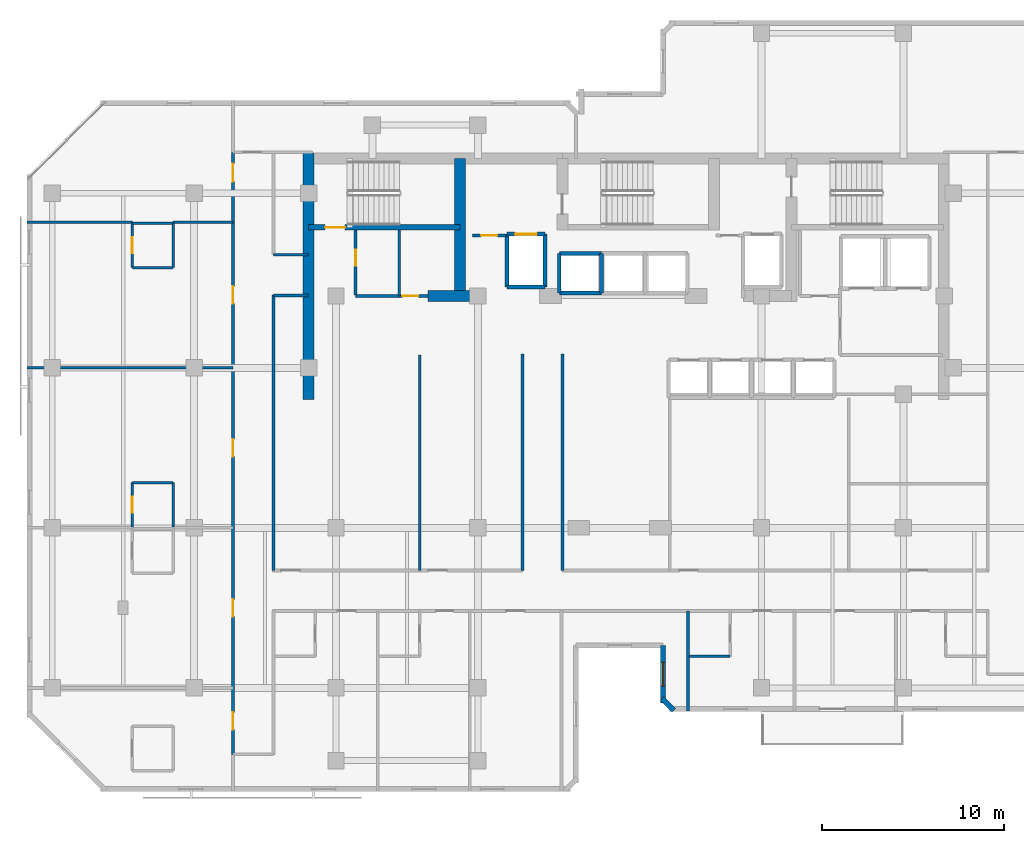
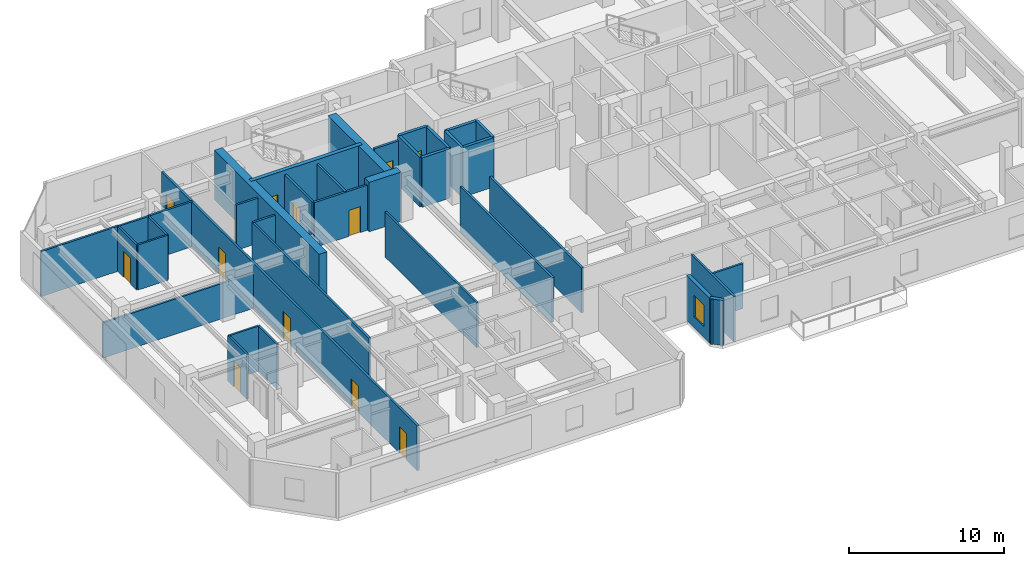
# One storey, part 5 of 11: 37 walls, 12 doors, 1 window, 13 openings.
"""IFC4 building model written with IfcOpenShell, lengths in metres."""

from ifc_helpers import new_model, si_unit, direction, frame, frame_2d, origin, place, context, subcontext, project, spatial, rectangle, extrude, material, layer, layer_set, type_object, element, fill, save


model = new_model("IFC4")

# Units and contexts
model_context = context("Model", 3, precision=1e-05, world=origin(), true_north=direction((0.0, 1.0)))
body_context = subcontext(model_context, "Body", "Model", "MODEL_VIEW")
ifc_project = project(units=[si_unit("LENGTHUNIT", "METRE"), si_unit("AREAUNIT", "SQUARE_METRE"), si_unit("VOLUMEUNIT", "CUBIC_METRE"), si_unit("PLANEANGLEUNIT", "RADIAN"), si_unit("MASSUNIT", "GRAM", prefix="KILO")], contexts=[model_context])

# Site, building, storey
site_placement = place(None, origin())
site = spatial("IfcSite", under=ifc_project, at=site_placement, CompositionType="ELEMENT")
building_placement = place(site_placement, origin())
building = spatial("IfcBuilding", under=site, at=building_placement, Name="Kestravale Grand Hotel", CompositionType="ELEMENT")
storey_placement = place(building_placement, frame((0.0, 0.0, 228.0)))
storey = spatial("IfcBuildingStorey", under=building, at=storey_placement, Name="L57", CompositionType="ELEMENT", Elevation=228.0)

# Walls
ifc_material_1 = material(Name="Concrete f'c 50 MPa", Category="concrete")
ifc_layer_1 = layer(ifc_material_1, 0.60009765625)
ifc_layer_set_1 = layer_set([ifc_layer_1], Name="EW-CORE-600")
wall_type_1 = type_object("IfcWallType", Name="EW-CORE-600", PredefinedType="SHEAR", material=ifc_layer_set_1)
wall_1_placement = place(storey_placement, frame((21.89990234375, 27.050048828125, 0.0), z_axis=(0.0, 0.0, 1.0), x_axis=(0.0, 1.0, 0.0)))
element("IfcWall", 1, at=wall_1_placement, inside=storey, type_object=wall_type_1, Name="L57 core shear wall W1", PredefinedType="SHEAR", context=body_context, shape_type="SweptSolid", body=[
    extrude(rectangle(XDim=13.570068359375, YDim=0.60009765625, at=frame_2d((6.78515625, 0.0))), origin(), (0.0, 0.0, 1.0), 3.89990234375),
])
wall_2_placement = place(storey_placement, frame((28.449951171875, 32.75, 0.0), z_axis=(0.0, 0.0, 1.0), x_axis=(1.0, 0.0, 0.0)))
element("IfcWall", 2, at=wall_2_placement, inside=storey, type_object=wall_type_1, Name="L57 core shear wall S1", PredefinedType="SHEAR", context=body_context, shape_type="SweptSolid", body=[
    extrude(rectangle(XDim=2.400146484375, YDim=0.60009765625, at=frame_2d((1.2001953125, 0.0))), origin(), (0.0, 0.0, 1.0), 3.89990234375),
])
wall_3_placement = place(storey_placement, frame((30.219970703125, 33.050048828125, 0.0), z_axis=(0.0, 0.0, 1.0), x_axis=(0.0, 1.0, 0.0)))
element("IfcWall", 3, at=wall_3_placement, inside=storey, type_object=wall_type_1, Name="L57 core shear wall X1", PredefinedType="SHEAR", context=body_context, shape_type="SweptSolid", body=[
    extrude(rectangle(XDim=7.27001953125, YDim=0.60009765625, at=frame_2d((3.635009765625, 0.0))), origin(), (0.0, 0.0, 1.0), 3.89990234375),
])

# Wall, opening, window
ifc_material_2 = material(Name="Precast concrete f'c 45 MPa", Category="concrete")
ifc_layer_2 = layer(ifc_material_2, 0.280029296875)
ifc_layer_set_2 = layer_set([ifc_layer_2], Name="EW-PREC-280")
wall_type_2 = type_object("IfcWallType", Name="EW-PREC-280", PredefinedType="SOLIDWALL", material=ifc_layer_set_2)
wall_4_placement = place(storey_placement, frame((41.389892578125, 13.5400390625, 0.0), z_axis=(0.0, 0.0, 1.0), x_axis=(0.0, -1.0, 0.0)))
wall_4 = element("IfcWall", 4, at=wall_4_placement, inside=storey, type_object=wall_type_2, Name="L57 fluted precast facade wall 5", PredefinedType="SOLIDWALL", context=body_context, shape_type="SweptSolid", body=[
    extrude(rectangle(XDim=3.179931640625, YDim=0.280029296875, at=frame_2d((1.58984375, 0.0))), origin(), (0.0, 0.0, 1.0), 3.56005859375),
])
opening_1_placement = place(wall_4_placement, frame((0.93994140625, 0.0, 0.85009765625)))
opening_1 = element("IfcOpeningElement", 5, at=opening_1_placement, cuts=wall_4, Name="Opening W-GUEST-1300", PredefinedType="OPENING", context=body_context, shape_type="SweptSolid", body=[
    extrude(rectangle(XDim=1.300048828125, YDim=1.699951171875, at=frame_2d((0.64990234375, 0.85009765625))), frame((0.0, 0.14990234375, 0.0), z_axis=(0.0, -1.0, 0.0), x_axis=(1.0, 0.0, 0.0)), (0.0, 0.0, 1.0), 0.300048828125),
])
ifc_material_3 = material(Name="Insulated low-E double glazing in aluminium frame", Category="aluminium")
window_type = type_object("IfcWindowType", Name="W-GUEST-1300", PartitioningType="SINGLE_PANEL", PredefinedType="WINDOW", material=ifc_material_3)
window_placement = place(opening_1_placement, origin())
window = element("IfcWindow", 6, at=window_placement, inside=storey, type_object=window_type, Name="L57 exterior window 5.1", OverallHeight=1.699951171875, OverallWidth=1.300048828125, PartitioningType="SINGLE_PANEL", PredefinedType="WINDOW", context=body_context, shape_type="SweptSolid", body=[
    extrude(rectangle(XDim=1.300048828125, YDim=1.699951171875, at=frame_2d((0.64990234375, 0.85009765625))), frame((0.0, 0.030029296875, 0.0), z_axis=(0.0, -1.0, 0.0), x_axis=(1.0, 0.0, 0.0)), (0.0, 0.0, 1.0), 0.06005859375),
])
fill(opening_1, window)

# Wall
wall_5_placement = place(storey_placement, frame((41.32080078125, 10.627197265625, 0.0), z_axis=(0.0, 0.0, 1.0), x_axis=(0.707106781187, -0.707106781187, 0.0)))
element("IfcWall", 7, at=wall_5_placement, inside=storey, type_object=wall_type_2, Name="L57 fluted precast facade wall 6", PredefinedType="SOLIDWALL", context=body_context, shape_type="SweptSolid", body=[
    extrude(rectangle(XDim=0.928466796875, YDim=0.280029296875, at=frame_2d((0.46435546875, 0.0))), origin(), (0.0, 0.0, 1.0), 3.56005859375),
])

# Wall, opening, door
ifc_material_4 = material(Name="Concrete f'c 45 MPa", Category="concrete")
ifc_layer_3 = layer(ifc_material_4, 0.300048828125)
ifc_layer_set_3 = layer_set([ifc_layer_3], Name="EW-STAIR-300")
wall_type_3 = type_object("IfcWallType", Name="EW-STAIR-300", PredefinedType="SHEAR", material=ifc_layer_set_3)
wall_6_placement = place(storey_placement, frame((21.89990234375, 36.52001953125, 0.0), z_axis=(0.0, 0.0, 1.0), x_axis=(1.0, 0.0, 0.0)))
wall_6 = element("IfcWall", 8, at=wall_6_placement, inside=storey, type_object=wall_type_3, Name="L57 stair enclosure shear wall SST1", PredefinedType="SHEAR", context=body_context, shape_type="SweptSolid", body=[
    extrude(rectangle(XDim=8.320068359375, YDim=0.300048828125, at=frame_2d((4.16015625, 0.0))), origin(), (0.0, 0.0, 1.0), 3.89990234375),
])
opening_2_placement = place(wall_6_placement, frame((0.89990234375, 0.0, 0.0)))
opening_2 = element("IfcOpeningElement", 9, at=opening_2_placement, cuts=wall_6, Name="Opening D-ST-1100", PredefinedType="OPENING", context=body_context, shape_type="SweptSolid", body=[
    extrude(rectangle(XDim=1.10009765625, YDim=2.14990234375, at=frame_2d((0.550048828125, 1.074951171875))), frame((0.0, 0.159912109375, 0.0), z_axis=(0.0, -1.0, 0.0), x_axis=(1.0, 0.0, 0.0)), (0.0, 0.0, 1.0), 0.320068359375),
])
ifc_material_5 = material(Name="Galvanised 90-minute fire-rated steel stair door", Category="steel")
door_type_1 = type_object("IfcDoorType", Name="D-ST-1100", OperationType="NOTDEFINED", PredefinedType="DOOR", material=ifc_material_5)
door_1_placement = place(opening_2_placement, origin())
door_1 = element("IfcDoor", 10, at=door_1_placement, inside=storey, type_object=door_type_1, Name="L57 Stair ST-1 fire door", OperationType="SINGLE_SWING_RIGHT", OverallHeight=2.14990234375, OverallWidth=1.10009765625, PredefinedType="DOOR", context=body_context, shape_type="SweptSolid", body=[
    extrude(rectangle(XDim=1.10009765625, YDim=2.14990234375, at=frame_2d((0.550048828125, 1.074951171875))), frame((0.0, 0.02490234375, 0.0), z_axis=(0.0, -1.0, 0.0), x_axis=(1.0, 0.0, 0.0)), (0.0, 0.0, 1.0), 0.050048828125),
])
fill(opening_2, door_1)

ifc_material_6 = material(Name="Acoustic fire-rated gypsum board partition", Category="other")
ifc_layer_4 = layer(ifc_material_6, 0.159912109375)
ifc_layer_set_4 = layer_set([ifc_layer_4], Name="IW-CORR-160")
wall_type_4 = type_object("IfcWallType", Name="IW-CORR-160", PredefinedType="PARTITIONING", material=ifc_layer_set_4)
wall_7_placement = place(storey_placement, frame((24.47998046875, 32.800048828125, 0.0), z_axis=(0.0, 0.0, 1.0), x_axis=(0.0, 1.0, 0.0)))
wall_7 = element("IfcWall", 11, at=wall_7_placement, inside=storey, type_object=wall_type_4, Name="L57 west core vestibule wall", PredefinedType="PARTITIONING", context=body_context, shape_type="SweptSolid", body=[
    extrude(rectangle(XDim=3.570068359375, YDim=0.159912109375, at=frame_2d((1.78515625, 0.0))), origin(), (0.0, 0.0, 1.0), 3.56005859375),
])
opening_3_placement = place(wall_7_placement, frame((1.603515625, 0.0, 0.0)))
opening_3 = element("IfcOpeningElement", 12, at=opening_3_placement, cuts=wall_7, Name="Opening D-SH-900", PredefinedType="OPENING", context=body_context, shape_type="SweptSolid", body=[
    extrude(rectangle(XDim=0.89990234375, YDim=2.10009765625, at=frame_2d((0.449951171875, 1.050048828125))), frame((0.0, 0.08984375, 0.0), z_axis=(0.0, -1.0, 0.0), x_axis=(1.0, 0.0, 0.0)), (0.0, 0.0, 1.0), 0.179931640625),
])
ifc_material_7 = material(Name="Galvanised 90-minute shaft and service fire door", Category="steel")
door_type_2 = type_object("IfcDoorType", Name="D-SH-900", OperationType="NOTDEFINED", PredefinedType="DOOR", material=ifc_material_7)
door_2_placement = place(opening_3_placement, origin())
door_2 = element("IfcDoor", 13, at=door_2_placement, inside=storey, type_object=door_type_2, Name="D-L57-HK", OperationType="SINGLE_SWING_RIGHT", OverallHeight=2.10009765625, OverallWidth=0.89990234375, PredefinedType="DOOR", context=body_context, shape_type="SweptSolid", body=[
    extrude(rectangle(XDim=0.89990234375, YDim=2.10009765625, at=frame_2d((0.449951171875, 1.050048828125))), frame((0.0, 0.02490234375, 0.0), z_axis=(0.0, -1.0, 0.0), x_axis=(1.0, 0.0, 0.0)), (0.0, 0.0, 1.0), 0.050048828125),
])
fill(opening_3, door_2)

wall_8_placement = place(storey_placement, frame((24.47998046875, 32.75, 0.0), z_axis=(0.0, 0.0, 1.0), x_axis=(1.0, 0.0, 0.0)))
wall_8 = element("IfcWall", 14, at=wall_8_placement, inside=storey, type_object=wall_type_4, Name="W-L57-CWS", PredefinedType="PARTITIONING", context=body_context, shape_type="SweptSolid", body=[
    extrude(rectangle(XDim=3.969970703125, YDim=0.159912109375, at=frame_2d((1.98486328125, 0.0))), origin(), (0.0, 0.0, 1.0), 3.56005859375),
])
opening_4_placement = place(wall_8_placement, frame((2.574951171875, 0.0, 0.0)))
opening_4 = element("IfcOpeningElement", 15, at=opening_4_placement, cuts=wall_8, Name="Opening D-BATH-880", PredefinedType="OPENING", context=body_context, shape_type="SweptSolid", body=[
    extrude(rectangle(XDim=0.8798828125, YDim=2.050048828125, at=frame_2d((0.43994140625, 1.02490234375))), frame((0.0, 0.08984375, 0.0), z_axis=(0.0, -1.0, 0.0), x_axis=(1.0, 0.0, 0.0)), (0.0, 0.0, 1.0), 0.179931640625),
])
ifc_material_8 = material(Name="Moisture-sealed walnut en-suite bathroom door", Category="wood")
door_type_3 = type_object("IfcDoorType", Name="D-BATH-880", OperationType="NOTDEFINED", PredefinedType="DOOR", material=ifc_material_8)
door_3_placement = place(opening_4_placement, origin())
door_3 = element("IfcDoor", 16, at=door_3_placement, inside=storey, type_object=door_type_3, Name="D-L57-SWC", OperationType="SINGLE_SWING_RIGHT", OverallHeight=2.050048828125, OverallWidth=0.8798828125, PredefinedType="DOOR", context=body_context, shape_type="SweptSolid", body=[
    extrude(rectangle(XDim=0.8798828125, YDim=2.050048828125, at=frame_2d((0.43994140625, 1.02490234375))), frame((0.0, 0.02490234375, 0.0), z_axis=(0.0, -1.0, 0.0), x_axis=(1.0, 0.0, 0.0)), (0.0, 0.0, 1.0), 0.050048828125),
])
fill(opening_4, door_3)

# Walls
for number, where, z_axis, x_axis, name in (
    (17, (33.64990234375, 17.659912109375, 0.0), (0.0, 0.0, 1.0), (0.0, 1.0, 0.0), "W-L57-TRUNK-W"),
    (18, (35.85009765625, 17.659912109375, 0.0), (0.0, 0.0, 1.0), (0.0, 1.0, 0.0), "W-L57-TRUNK-E"),
):
    element("IfcWall", number, at=place(storey_placement, frame(where, z_axis=z_axis, x_axis=x_axis)), inside=storey, type_object=wall_type_4, Name=name, PredefinedType="PARTITIONING", context=body_context, shape_type="SweptSolid", body=[
        extrude(rectangle(XDim=11.89013671875, YDim=0.159912109375, at=frame_2d((5.945068359375, 0.0))), origin(), (0.0, 0.0, 1.0), 3.56005859375),
    ])

# Wall, openings, doors
wall_9_placement = place(storey_placement, frame((17.739990234375, 7.550048828125, 0.0), z_axis=(0.0, 0.0, 1.0), x_axis=(0.0, 1.0, 0.0)))
wall_9 = element("IfcWall", 19, at=wall_9_placement, inside=storey, type_object=wall_type_4, Name="W-L57-SW-W", PredefinedType="PARTITIONING", context=body_context, shape_type="SweptSolid", body=[
    extrude(rectangle(XDim=33.099853515625, YDim=0.159912109375, at=frame_2d((16.5498046875, 0.0))), origin(), (0.0, 0.0, 1.0), 3.56005859375),
])
opening_5_placement = place(wall_9_placement, frame((1.35009765625, 0.0, 0.0)))
opening_5 = element("IfcOpeningElement", 20, at=opening_5_placement, cuts=wall_9, Name="Opening D-GUEST-950", PredefinedType="OPENING", context=body_context, shape_type="SweptSolid", body=[
    extrude(rectangle(XDim=0.949951171875, YDim=2.10009765625, at=frame_2d((0.47509765625, 1.050048828125))), frame((0.0, 0.08984375, 0.0), z_axis=(0.0, -1.0, 0.0), x_axis=(1.0, 0.0, 0.0)), (0.0, 0.0, 1.0), 0.179931640625),
])
opening_6_placement = place(wall_9_placement, frame((7.574951171875, 0.0, 0.0)))
opening_6 = element("IfcOpeningElement", 21, at=opening_6_placement, cuts=wall_9, Name="Opening D-GUEST-950", PredefinedType="OPENING", context=body_context, shape_type="SweptSolid", body=[
    extrude(rectangle(XDim=0.949951171875, YDim=2.10009765625, at=frame_2d((0.47509765625, 1.050048828125))), frame((0.0, 0.08984375, 0.0), z_axis=(0.0, -1.0, 0.0), x_axis=(1.0, 0.0, 0.0)), (0.0, 0.0, 1.0), 0.179931640625),
])
opening_7_placement = place(wall_9_placement, frame((16.375, 0.0, 0.0)))
opening_7 = element("IfcOpeningElement", 22, at=opening_7_placement, cuts=wall_9, Name="Opening D-GUEST-950", PredefinedType="OPENING", context=body_context, shape_type="SweptSolid", body=[
    extrude(rectangle(XDim=0.949951171875, YDim=2.10009765625, at=frame_2d((0.47509765625, 1.050048828125))), frame((0.0, 0.08984375, 0.0), z_axis=(0.0, -1.0, 0.0), x_axis=(1.0, 0.0, 0.0)), (0.0, 0.0, 1.0), 0.179931640625),
])
opening_8_placement = place(wall_9_placement, frame((24.77490234375, 0.0, 0.0)))
opening_8 = element("IfcOpeningElement", 23, at=opening_8_placement, cuts=wall_9, Name="Opening D-GUEST-950", PredefinedType="OPENING", context=body_context, shape_type="SweptSolid", body=[
    extrude(rectangle(XDim=0.949951171875, YDim=2.10009765625, at=frame_2d((0.47509765625, 1.050048828125))), frame((0.0, 0.08984375, 0.0), z_axis=(0.0, -1.0, 0.0), x_axis=(1.0, 0.0, 0.0)), (0.0, 0.0, 1.0), 0.179931640625),
])
opening_9_placement = place(wall_9_placement, frame((31.485595703125, 0.0, 0.0)))
opening_9 = element("IfcOpeningElement", 24, at=opening_9_placement, cuts=wall_9, Name="Opening D-GUEST-1000", PredefinedType="OPENING", context=body_context, shape_type="SweptSolid", body=[
    extrude(rectangle(XDim=1.0, YDim=2.14990234375, at=frame_2d((0.5, 1.074951171875))), frame((0.0, 0.08984375, 0.0), z_axis=(0.0, -1.0, 0.0), x_axis=(1.0, 0.0, 0.0)), (0.0, 0.0, 1.0), 0.179931640625),
])
ifc_material_9 = material(Name="Accessible walnut veneer hotel entrance fire door", Category="wood")
door_type_4 = type_object("IfcDoorType", Name="D-GUEST-1000", OperationType="NOTDEFINED", PredefinedType="DOOR", material=ifc_material_9)
door_4_placement = place(opening_9_placement, origin())
door_4 = element("IfcDoor", 25, at=door_4_placement, inside=storey, type_object=door_type_4, Name="D-L57-AMWW", OperationType="SINGLE_SWING_LEFT", OverallHeight=2.14990234375, OverallWidth=1.0, PredefinedType="DOOR", context=body_context, shape_type="SweptSolid", body=[
    extrude(rectangle(XDim=1.0, YDim=2.14990234375, at=frame_2d((0.5, 1.074951171875))), frame((0.0, 0.02490234375, 0.0), z_axis=(0.0, -1.0, 0.0), x_axis=(1.0, 0.0, 0.0)), (0.0, 0.0, 1.0), 0.050048828125),
])
fill(opening_9, door_4)
ifc_material_10 = material(Name="Walnut veneer hotel guestroom entrance fire door", Category="wood")
door_type_5 = type_object("IfcDoorType", Name="D-GUEST-950", OperationType="NOTDEFINED", PredefinedType="DOOR", material=ifc_material_10)
door_5_placement = place(opening_5_placement, origin())
door_5 = element("IfcDoor", 26, at=door_5_placement, inside=storey, type_object=door_type_5, Name="D-L57-U05-ENT", OperationType="SINGLE_SWING_RIGHT", OverallHeight=2.10009765625, OverallWidth=0.949951171875, PredefinedType="DOOR", context=body_context, shape_type="SweptSolid", body=[
    extrude(rectangle(XDim=0.949951171875, YDim=2.10009765625, at=frame_2d((0.47509765625, 1.050048828125))), frame((0.0, 0.02490234375, 0.0), z_axis=(0.0, -1.0, 0.0), x_axis=(1.0, 0.0, 0.0)), (0.0, 0.0, 1.0), 0.050048828125),
])
fill(opening_5, door_5)
door_6_placement = place(opening_6_placement, origin())
door_6 = element("IfcDoor", 27, at=door_6_placement, inside=storey, type_object=door_type_5, Name="D-L57-U06-ENT", OperationType="SINGLE_SWING_RIGHT", OverallHeight=2.10009765625, OverallWidth=0.949951171875, PredefinedType="DOOR", context=body_context, shape_type="SweptSolid", body=[
    extrude(rectangle(XDim=0.949951171875, YDim=2.10009765625, at=frame_2d((0.47509765625, 1.050048828125))), frame((0.0, 0.02490234375, 0.0), z_axis=(0.0, -1.0, 0.0), x_axis=(1.0, 0.0, 0.0)), (0.0, 0.0, 1.0), 0.050048828125),
])
fill(opening_6, door_6)
door_7_placement = place(opening_7_placement, origin())
door_7 = element("IfcDoor", 28, at=door_7_placement, inside=storey, type_object=door_type_5, Name="D-L57-U07-ENT", OperationType="SINGLE_SWING_RIGHT", OverallHeight=2.10009765625, OverallWidth=0.949951171875, PredefinedType="DOOR", context=body_context, shape_type="SweptSolid", body=[
    extrude(rectangle(XDim=0.949951171875, YDim=2.10009765625, at=frame_2d((0.47509765625, 1.050048828125))), frame((0.0, 0.02490234375, 0.0), z_axis=(0.0, -1.0, 0.0), x_axis=(1.0, 0.0, 0.0)), (0.0, 0.0, 1.0), 0.050048828125),
])
fill(opening_7, door_7)
door_8_placement = place(opening_8_placement, origin())
door_8 = element("IfcDoor", 29, at=door_8_placement, inside=storey, type_object=door_type_5, Name="D-L57-U08-ENT", OperationType="SINGLE_SWING_RIGHT", OverallHeight=2.10009765625, OverallWidth=0.949951171875, PredefinedType="DOOR", context=body_context, shape_type="SweptSolid", body=[
    extrude(rectangle(XDim=0.949951171875, YDim=2.10009765625, at=frame_2d((0.47509765625, 1.050048828125))), frame((0.0, 0.02490234375, 0.0), z_axis=(0.0, -1.0, 0.0), x_axis=(1.0, 0.0, 0.0)), (0.0, 0.0, 1.0), 0.050048828125),
])
fill(opening_8, door_8)

# Walls
for number, where, z_axis, x_axis, name in (
    (30, (19.9599609375, 35.02001953125, 0.0), (0.0, 0.0, 1.0), (1.0, 0.0, 0.0), "W-L57-SW-CN"),
    (31, (19.9599609375, 32.780029296875, 0.0), (0.0, 0.0, 1.0), (1.0, 0.0, 0.0), "W-L57-SW-CS"),
):
    element("IfcWall", number, at=place(storey_placement, frame(where, z_axis=z_axis, x_axis=x_axis)), inside=storey, type_object=wall_type_4, Name=name, PredefinedType="PARTITIONING", context=body_context, shape_type="SweptSolid", body=[
        extrude(rectangle(XDim=1.93994140625, YDim=0.159912109375, at=frame_2d((0.969970703125, 0.0))), origin(), (0.0, 0.0, 1.0), 3.56005859375),
    ])

# Wall, opening, door
ifc_material_11 = material(Name="Fire-rated gypsum board on steel studs with mineral wool", Category="steel")
ifc_layer_5 = layer(ifc_material_11, 0.179931640625)
ifc_layer_set_5 = layer_set([ifc_layer_5], Name="IW-FSAE-180")
wall_type_5 = type_object("IfcWallType", Name="IW-FSAE-180", PredefinedType="PARTITIONING", material=ifc_layer_set_5)
wall_10_placement = place(storey_placement, frame((30.89990234375, 36.080078125, 0.0), z_axis=(0.0, 0.0, 1.0), x_axis=(1.0, 0.0, 0.0)))
wall_10 = element("IfcWall", 32, at=wall_10_placement, inside=storey, type_object=wall_type_5, Name="L57 FSAE Lobby 1 smoke barrier", PredefinedType="PARTITIONING", context=body_context, shape_type="SweptSolid", body=[
    extrude(rectangle(XDim=1.85009765625, YDim=0.179931640625, at=frame_2d((0.925048828125, 0.0))), origin(), (0.0, 0.0, 1.0), 3.56005859375),
])
opening_10_placement = place(wall_10_placement, frame((0.47998046875, 0.0, 0.0)))
opening_10 = element("IfcOpeningElement", 33, at=opening_10_placement, cuts=wall_10, Name="Opening D-FSAE-1000", PredefinedType="OPENING", context=body_context, shape_type="SweptSolid", body=[
    extrude(rectangle(XDim=0.89990234375, YDim=2.14990234375, at=frame_2d((0.449951171875, 1.074951171875))), frame((0.0, 0.099853515625, 0.0), z_axis=(0.0, -1.0, 0.0), x_axis=(1.0, 0.0, 0.0)), (0.0, 0.0, 1.0), 0.199951171875),
])
ifc_material_12 = material(Name="Smoke-gasketed FSAE lobby fire door", Category="steel")
door_type_6 = type_object("IfcDoorType", Name="D-FSAE-1000", OperationType="NOTDEFINED", PredefinedType="DOOR", material=ifc_material_12)
door_9_placement = place(opening_10_placement, origin())
door_9 = element("IfcDoor", 34, at=door_9_placement, inside=storey, type_object=door_type_6, Name="L57 FSAE Lobby 1 fire door", OperationType="SINGLE_SWING_RIGHT", OverallHeight=2.14990234375, OverallWidth=0.89990234375, PredefinedType="DOOR", context=body_context, shape_type="SweptSolid", body=[
    extrude(rectangle(XDim=0.89990234375, YDim=2.14990234375, at=frame_2d((0.449951171875, 1.074951171875))), frame((0.0, 0.02490234375, 0.0), z_axis=(0.0, -1.0, 0.0), x_axis=(1.0, 0.0, 0.0)), (0.0, 0.0, 1.0), 0.050048828125),
])
fill(opening_10, door_9)

# Wall
ifc_material_13 = material(Name="Moisture-resistant tile-backer plumbing chase wall", Category="other")
ifc_layer_6 = layer(ifc_material_13, 0.139892578125)
ifc_layer_set_6 = layer_set([ifc_layer_6], Name="IW-PLB-140")
wall_type_6 = type_object("IfcWallType", Name="IW-PLB-140", PredefinedType="PLUMBINGWALL", material=ifc_layer_set_6)
wall_11_placement = place(storey_placement, frame((42.820068359375, 12.929931640625, 0.0), z_axis=(0.0, 0.0, 1.0), x_axis=(1.0, 0.0, 0.0)))
element("IfcWall", 35, at=wall_11_placement, inside=storey, type_object=wall_type_6, Name="W-L57-U03-BS", PredefinedType="PLUMBINGWALL", context=body_context, shape_type="SweptSolid", body=[
    extrude(rectangle(XDim=2.25, YDim=0.139892578125, at=frame_2d((1.125, 0.0))), origin(), (0.0, 0.0, 1.0), 3.56005859375),
])

# Wall, opening, door
wall_12_placement = place(storey_placement, frame((12.199951171875, 20.0400390625, 0.0), z_axis=(0.0, 0.0, 1.0), x_axis=(0.0, 1.0, 0.0)))
wall_12 = element("IfcWall", 36, at=wall_12_placement, inside=storey, type_object=wall_type_6, Name="W-L57-U07-BW", PredefinedType="PLUMBINGWALL", context=body_context, shape_type="SweptSolid", body=[
    extrude(rectangle(XDim=2.449951171875, YDim=0.139892578125, at=frame_2d((1.22509765625, 0.0))), origin(), (0.0, 0.0, 1.0), 3.56005859375),
])
opening_11_placement = place(wall_12_placement, frame((0.784912109375, 0.0, 0.0)))
opening_11 = element("IfcOpeningElement", 37, at=opening_11_placement, cuts=wall_12, Name="Opening D-BATH-880", PredefinedType="OPENING", context=body_context, shape_type="SweptSolid", body=[
    extrude(rectangle(XDim=0.8798828125, YDim=2.050048828125, at=frame_2d((0.43994140625, 1.02490234375))), frame((0.0, 0.079833984375, 0.0), z_axis=(0.0, -1.0, 0.0), x_axis=(1.0, 0.0, 0.0)), (0.0, 0.0, 1.0), 0.159912109375),
])
door_10_placement = place(opening_11_placement, origin())
door_10 = element("IfcDoor", 38, at=door_10_placement, inside=storey, type_object=door_type_3, Name="D-L57-U07-BATH", OperationType="SINGLE_SWING_LEFT", OverallHeight=2.050048828125, OverallWidth=0.8798828125, PredefinedType="DOOR", context=body_context, shape_type="SweptSolid", body=[
    extrude(rectangle(XDim=0.8798828125, YDim=2.050048828125, at=frame_2d((0.43994140625, 1.02490234375))), frame((0.0, 0.02490234375, 0.0), z_axis=(0.0, -1.0, 0.0), x_axis=(1.0, 0.0, 0.0)), (0.0, 0.0, 1.0), 0.050048828125),
])
fill(opening_11, door_10)

# Walls
wall_13_placement = place(storey_placement, frame((14.449951171875, 20.0400390625, 0.0), z_axis=(0.0, 0.0, 1.0), x_axis=(0.0, 1.0, 0.0)))
element("IfcWall", 39, at=wall_13_placement, inside=storey, type_object=wall_type_6, Name="W-L57-U07-BE", PredefinedType="PLUMBINGWALL", context=body_context, shape_type="SweptSolid", body=[
    extrude(rectangle(XDim=2.449951171875, YDim=0.139892578125, at=frame_2d((1.22509765625, 0.0))), origin(), (0.0, 0.0, 1.0), 3.56005859375),
])
wall_14_placement = place(storey_placement, frame((12.199951171875, 22.489990234375, 0.0), z_axis=(0.0, 0.0, 1.0), x_axis=(1.0, 0.0, 0.0)))
element("IfcWall", 40, at=wall_14_placement, inside=storey, type_object=wall_type_6, Name="W-L57-U07-BN", PredefinedType="PLUMBINGWALL", context=body_context, shape_type="SweptSolid", body=[
    extrude(rectangle(XDim=2.25, YDim=0.139892578125, at=frame_2d((1.125, 0.0))), origin(), (0.0, 0.0, 1.0), 3.56005859375),
])

# Wall, opening, door
wall_15_placement = place(storey_placement, frame((12.199951171875, 34.31005859375, 0.0), z_axis=(0.0, 0.0, 1.0), x_axis=(0.0, 1.0, 0.0)))
wall_15 = element("IfcWall", 41, at=wall_15_placement, inside=storey, type_object=wall_type_6, Name="W-L57-U08-BW", PredefinedType="PLUMBINGWALL", context=body_context, shape_type="SweptSolid", body=[
    extrude(rectangle(XDim=2.449951171875, YDim=0.139892578125, at=frame_2d((1.22509765625, 0.0))), origin(), (0.0, 0.0, 1.0), 3.56005859375),
])
opening_12_placement = place(wall_15_placement, frame((0.784912109375, 0.0, 0.0)))
opening_12 = element("IfcOpeningElement", 42, at=opening_12_placement, cuts=wall_15, Name="Opening D-BATH-880", PredefinedType="OPENING", context=body_context, shape_type="SweptSolid", body=[
    extrude(rectangle(XDim=0.8798828125, YDim=2.050048828125, at=frame_2d((0.43994140625, 1.02490234375))), frame((0.0, 0.079833984375, 0.0), z_axis=(0.0, -1.0, 0.0), x_axis=(1.0, 0.0, 0.0)), (0.0, 0.0, 1.0), 0.159912109375),
])
door_11_placement = place(opening_12_placement, origin())
door_11 = element("IfcDoor", 43, at=door_11_placement, inside=storey, type_object=door_type_3, Name="D-L57-U08-BATH", OperationType="SINGLE_SWING_LEFT", OverallHeight=2.050048828125, OverallWidth=0.8798828125, PredefinedType="DOOR", context=body_context, shape_type="SweptSolid", body=[
    extrude(rectangle(XDim=0.8798828125, YDim=2.050048828125, at=frame_2d((0.43994140625, 1.02490234375))), frame((0.0, 0.02490234375, 0.0), z_axis=(0.0, -1.0, 0.0), x_axis=(1.0, 0.0, 0.0)), (0.0, 0.0, 1.0), 0.050048828125),
])
fill(opening_12, door_11)

# Walls
wall_16_placement = place(storey_placement, frame((14.449951171875, 34.31005859375, 0.0), z_axis=(0.0, 0.0, 1.0), x_axis=(0.0, 1.0, 0.0)))
element("IfcWall", 44, at=wall_16_placement, inside=storey, type_object=wall_type_6, Name="W-L57-U08-BE", PredefinedType="PLUMBINGWALL", context=body_context, shape_type="SweptSolid", body=[
    extrude(rectangle(XDim=2.449951171875, YDim=0.139892578125, at=frame_2d((1.22509765625, 0.0))), origin(), (0.0, 0.0, 1.0), 3.56005859375),
])
for number, where, z_axis, x_axis, name in (
    (45, (12.199951171875, 34.31005859375, 0.0), (0.0, 0.0, 1.0), (1.0, 0.0, 0.0), "W-L57-U08-BS"),
    (46, (12.199951171875, 36.760009765625, 0.0), (0.0, 0.0, 1.0), (1.0, 0.0, 0.0), "W-L57-U08-BN"),
):
    element("IfcWall", number, at=place(storey_placement, frame(where, z_axis=z_axis, x_axis=x_axis)), inside=storey, type_object=wall_type_6, Name=name, PredefinedType="PLUMBINGWALL", context=body_context, shape_type="SweptSolid", body=[
        extrude(rectangle(XDim=2.25, YDim=0.139892578125, at=frame_2d((1.125, 0.0))), origin(), (0.0, 0.0, 1.0), 3.56005859375),
    ])
ifc_material_14 = material(Name="Concrete f'c 45 MPa", Category="concrete")
ifc_layer_7 = layer(ifc_material_14, 0.199951171875)
ifc_layer_set_7 = layer_set([ifc_layer_7], Name="IW-SHAFT-200")
wall_type_7 = type_object("IfcWallType", Name="IW-SHAFT-200", PredefinedType="SHEAR", material=ifc_layer_set_7)
for number, where, z_axis, x_axis, name in (
    (47, (35.679931640625, 32.919921875, 0.0), (0.0, 0.0, 1.0), (0.0, 1.0, 0.0), "L57 PL-X1 west shaft wall"),
    (48, (38.0, 32.919921875, 0.0), (0.0, 0.0, 1.0), (0.0, 1.0, 0.0), "L57 PL-X2 west shaft wall"),
):
    element("IfcWall", number, at=place(storey_placement, frame(where, z_axis=z_axis, x_axis=x_axis)), inside=storey, type_object=wall_type_7, Name=name, PredefinedType="SHEAR", context=body_context, shape_type="SweptSolid", body=[
        extrude(rectangle(XDim=2.16015625, YDim=0.199951171875, at=frame_2d((1.080078125, 0.0))), origin(), (0.0, 0.0, 1.0), 3.89990234375),
    ])
for number, where, z_axis, x_axis, name in (
    (49, (32.804931640625, 33.2451171875, 0.0), (0.0, 0.0, 1.0), (0.0, 1.0, 0.0), "L57 FL-1 west shaft wall"),
    (50, (34.89501953125, 33.2451171875, 0.0), (0.0, 0.0, 1.0), (0.0, 1.0, 0.0), "L57 FL-1 east shaft wall"),
):
    element("IfcWall", number, at=place(storey_placement, frame(where, z_axis=z_axis, x_axis=x_axis)), inside=storey, type_object=wall_type_7, Name=name, PredefinedType="SHEAR", context=body_context, shape_type="SweptSolid", body=[
        extrude(rectangle(XDim=2.909912109375, YDim=0.199951171875, at=frame_2d((1.455078125, 0.0))), origin(), (0.0, 0.0, 1.0), 3.89990234375),
    ])
ifc_material_15 = material(Name="Concrete f'c 45 MPa", Category="concrete")
ifc_layer_8 = layer(ifc_material_15, 0.219970703125)
ifc_layer_set_8 = layer_set([ifc_layer_8], Name="IW-SHAFT-220")
wall_type_8 = type_object("IfcWallType", Name="IW-SHAFT-220", PredefinedType="SHEAR", material=ifc_layer_set_8)
for number, where, z_axis, x_axis, name in (
    (51, (35.679931640625, 35.080078125, 0.0), (0.0, 0.0, 1.0), (1.0, 0.0, 0.0), "L57 PL-X1 north shaft wall"),
    (52, (35.679931640625, 32.919921875, 0.0), (0.0, 0.0, 1.0), (1.0, 0.0, 0.0), "L57 PL-X1 south shaft wall"),
):
    element("IfcWall", number, at=place(storey_placement, frame(where, z_axis=z_axis, x_axis=x_axis)), inside=storey, type_object=wall_type_8, Name=name, PredefinedType="SHEAR", context=body_context, shape_type="SweptSolid", body=[
        extrude(rectangle(XDim=2.320068359375, YDim=0.219970703125, at=frame_2d((1.16015625, 0.0))), origin(), (0.0, 0.0, 1.0), 3.89990234375),
    ])

# Wall, opening, door
wall_17_placement = place(storey_placement, frame((32.804931640625, 36.155029296875, 0.0), z_axis=(0.0, 0.0, 1.0), x_axis=(1.0, 0.0, 0.0)))
wall_17 = element("IfcWall", 53, at=wall_17_placement, inside=storey, type_object=wall_type_8, Name="L57 FL-1 north shaft wall", PredefinedType="SHEAR", context=body_context, shape_type="SweptSolid", body=[
    extrude(rectangle(XDim=2.090087890625, YDim=0.219970703125, at=frame_2d((1.044921875, 0.0))), origin(), (0.0, 0.0, 1.0), 3.89990234375),
])
opening_13_placement = place(wall_17_placement, frame((0.445068359375, 0.0, 0.0)))
opening_13 = element("IfcOpeningElement", 54, at=opening_13_placement, cuts=wall_17, Name="Opening LD-FSAE-1200", PredefinedType="OPENING", context=body_context, shape_type="SweptSolid", body=[
    extrude(rectangle(XDim=1.199951171875, YDim=2.14990234375, at=frame_2d((0.60009765625, 1.074951171875))), frame((0.0, 0.119873046875, 0.0), z_axis=(0.0, -1.0, 0.0), x_axis=(1.0, 0.0, 0.0)), (0.0, 0.0, 1.0), 0.239990234375),
])
ifc_material_16 = material(Name="Stainless fire-service sliding elevator landing door", Category="steel")
door_type_7 = type_object("IfcDoorType", Name="LD-FSAE-1200", OperationType="NOTDEFINED", PredefinedType="DOOR", material=ifc_material_16)
door_12_placement = place(opening_13_placement, origin())
door_12 = element("IfcDoor", 55, at=door_12_placement, inside=storey, type_object=door_type_7, Name="L57 FL-1 elevator landing sliding door", OperationType="DOUBLE_DOOR_SLIDING", OverallHeight=2.14990234375, OverallWidth=1.199951171875, PredefinedType="DOOR", context=body_context, shape_type="SweptSolid", body=[
    extrude(rectangle(XDim=1.199951171875, YDim=2.14990234375, at=frame_2d((0.60009765625, 1.074951171875))), frame((0.0, 0.02490234375, 0.0), z_axis=(0.0, -1.0, 0.0), x_axis=(1.0, 0.0, 0.0)), (0.0, 0.0, 1.0), 0.050048828125),
])
fill(opening_13, door_12)

# Walls
wall_18_placement = place(storey_placement, frame((32.804931640625, 33.2451171875, 0.0), z_axis=(0.0, 0.0, 1.0), x_axis=(1.0, 0.0, 0.0)))
element("IfcWall", 56, at=wall_18_placement, inside=storey, type_object=wall_type_8, Name="L57 FL-1 south shaft wall", PredefinedType="SHEAR", context=body_context, shape_type="SweptSolid", body=[
    extrude(rectangle(XDim=2.090087890625, YDim=0.219970703125, at=frame_2d((1.044921875, 0.0))), origin(), (0.0, 0.0, 1.0), 3.89990234375),
])
ifc_material_17 = material(Name="Double-stud STC 52 acoustic demising partition", Category="other")
ifc_layer_9 = layer(ifc_material_17, 0.14990234375)
ifc_layer_set_9 = layer_set([ifc_layer_9], Name="IW-UNIT-150")
wall_type_9 = type_object("IfcWallType", Name="IW-UNIT-150", PredefinedType="PARTITIONING", material=ifc_layer_set_9)
wall_19_placement = place(storey_placement, frame((26.8798828125, 32.75, 0.0), z_axis=(0.0, 0.0, 1.0), x_axis=(0.0, 1.0, 0.0)))
element("IfcWall", 57, at=wall_19_placement, inside=storey, type_object=wall_type_9, Name="W-L57-CC3-V", PredefinedType="PARTITIONING", context=body_context, shape_type="SweptSolid", body=[
    extrude(rectangle(XDim=3.6201171875, YDim=0.14990234375, at=frame_2d((1.81005859375, 0.0))), origin(), (0.0, 0.0, 1.0), 3.56005859375),
])
wall_20_placement = place(storey_placement, frame((19.9599609375, 17.659912109375, 0.0), z_axis=(0.0, 0.0, 1.0), x_axis=(0.0, 1.0, 0.0)))
element("IfcWall", 58, at=wall_20_placement, inside=storey, type_object=wall_type_9, Name="W-L57-RCLW-W", PredefinedType="PARTITIONING", context=body_context, shape_type="SweptSolid", body=[
    extrude(rectangle(XDim=15.14013671875, YDim=0.14990234375, at=frame_2d((7.570068359375, 0.0))), origin(), (0.0, 0.0, 1.0), 3.56005859375),
])
wall_21_placement = place(storey_placement, frame((28.0, 17.659912109375, 0.0), z_axis=(0.0, 0.0, 1.0), x_axis=(0.0, 1.0, 0.0)))
element("IfcWall", 59, at=wall_21_placement, inside=storey, type_object=wall_type_9, Name="W-L57-RCLW-M", PredefinedType="PARTITIONING", context=body_context, shape_type="SweptSolid", body=[
    extrude(rectangle(XDim=11.840087890625, YDim=0.14990234375, at=frame_2d((5.919921875, 0.0))), origin(), (0.0, 0.0, 1.0), 3.56005859375),
])
wall_22_placement = place(storey_placement, frame((42.760009765625, 9.919921875, 0.0), z_axis=(0.0, 0.0, 1.0), x_axis=(0.0, 1.0, 0.0)))
element("IfcWall", 60, at=wall_22_placement, inside=storey, type_object=wall_type_9, Name="W-L57-ES-1", PredefinedType="PARTITIONING", context=body_context, shape_type="SweptSolid", body=[
    extrude(rectangle(XDim=5.52001953125, YDim=0.14990234375, at=frame_2d((2.760009765625, 0.0))), origin(), (0.0, 0.0, 1.0), 3.56005859375),
])
wall_23_placement = place(storey_placement, frame((6.419921875, 28.800048828125, 0.0), z_axis=(0.0, 0.0, 1.0), x_axis=(1.0, 0.0, 0.0)))
element("IfcWall", 61, at=wall_23_placement, inside=storey, type_object=wall_type_9, Name="W-L57-WW-3", PredefinedType="PARTITIONING", context=body_context, shape_type="SweptSolid", body=[
    extrude(rectangle(XDim=11.320068359375, YDim=0.14990234375, at=frame_2d((5.66015625, 0.0))), origin(), (0.0, 0.0, 1.0), 2.7880859375),
])
wall_24_placement = place(storey_placement, frame((6.419921875, 36.800048828125, 0.0), z_axis=(0.0, 0.0, 1.0), x_axis=(1.0, 0.0, 0.0)))
element("IfcWall", 62, at=wall_24_placement, inside=storey, type_object=wall_type_9, Name="W-L57-WW-4", PredefinedType="PARTITIONING", context=body_context, shape_type="SweptSolid", body=[
    extrude(rectangle(XDim=5.780029296875, YDim=0.14990234375, at=frame_2d((2.89013671875, 0.0))), origin(), (0.0, 0.0, 1.0), 3.56005859375),
])
wall_25_placement = place(storey_placement, frame((14.449951171875, 36.800048828125, 0.0), z_axis=(0.0, 0.0, 1.0), x_axis=(1.0, 0.0, 0.0)))
element("IfcWall", 63, at=wall_25_placement, inside=storey, type_object=wall_type_9, Name="W-L57-WW-4", PredefinedType="PARTITIONING", context=body_context, shape_type="SweptSolid", body=[
    extrude(rectangle(XDim=3.2900390625, YDim=0.14990234375, at=frame_2d((1.64501953125, 0.0))), origin(), (0.0, 0.0, 1.0), 3.56005859375),
])

save(model, "model.ifc")
